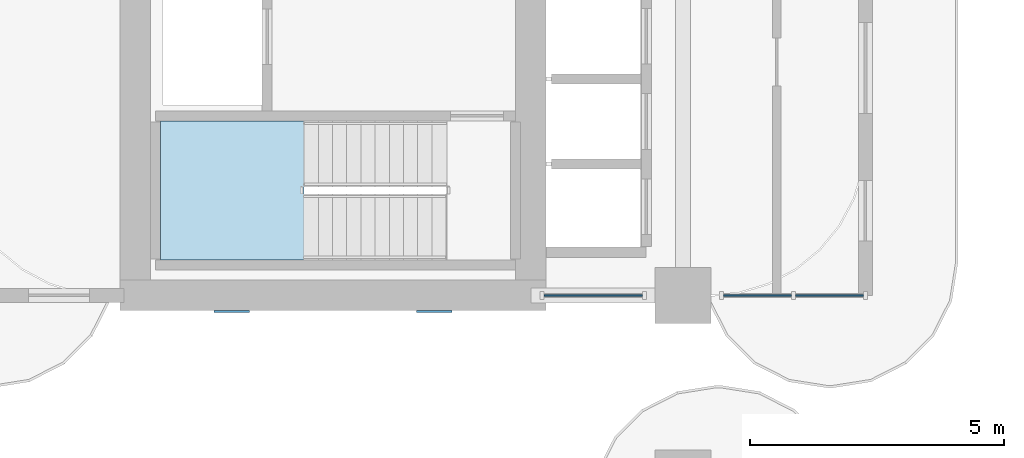
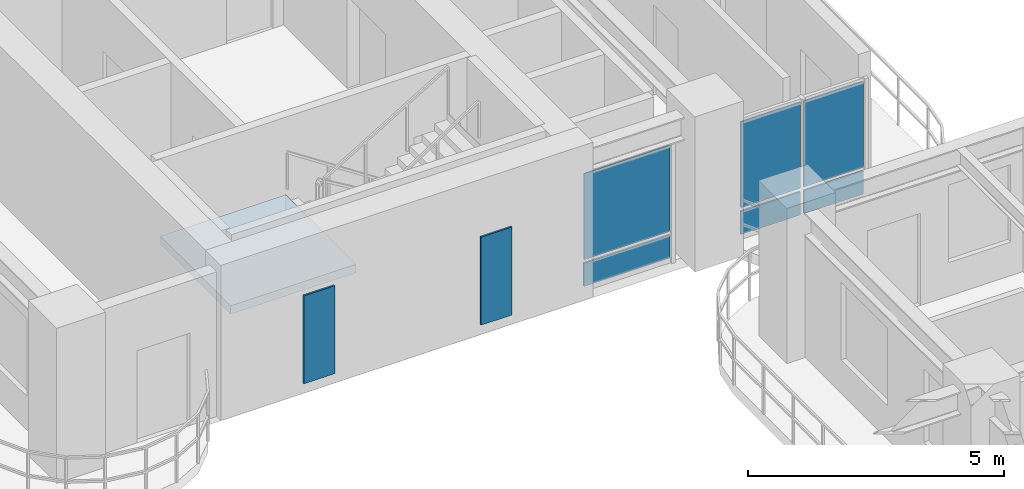
# One storey, part 4 of 19: 8 plates, 1 slab, 3 elements without a shape of their own.
"""IFC4 building model written with IfcOpenShell, lengths in metres."""

from ifc_helpers import new_model, si_unit, derived_unit, direction, frame, origin, origin_2d, place, context, subcontext, project, spatial, polyline, rectangle, outline, extrude, source, transform, mapped, material, layer, layer_set, type_object, type_shapes, element, aggregate, save


model = new_model("IFC4")

# Units and contexts
model_context = context("Model", 3, precision=1e-05, world=origin(), true_north=direction((0.0, 1.0)))
body_context = subcontext(model_context, "Body", "Model", "MODEL_VIEW")
ifc_project = project(units=[si_unit("LENGTHUNIT", "METRE"), si_unit("AREAUNIT", "SQUARE_METRE"), si_unit("VOLUMEUNIT", "CUBIC_METRE"), si_unit("PLANEANGLEUNIT", "RADIAN"), si_unit("MASSUNIT", "GRAM", prefix="KILO"), si_unit("THERMODYNAMICTEMPERATUREUNIT", "KELVIN"), si_unit("POWERUNIT", "WATT"), derived_unit("THERMALTRANSMITTANCEUNIT", [(si_unit("POWERUNIT", "WATT"), 1), (si_unit("AREAUNIT", "SQUARE_METRE"), -1), (si_unit("THERMODYNAMICTEMPERATUREUNIT", "KELVIN"), -1)])], contexts=[model_context])

# Site, building, storey
site_placement = place(None, origin())
site = spatial("IfcSite", under=ifc_project, at=site_placement, CompositionType="ELEMENT")
building_placement = place(site_placement, origin())
building = spatial("IfcBuilding", under=site, at=building_placement, Name="Zahravan Archway Hotel and Residences", CompositionType="ELEMENT")
storey_placement = place(building_placement, frame((0.0, 0.0, 43.5)))
storey = spatial("IfcBuildingStorey", under=building, at=storey_placement, Name="L09", CompositionType="ELEMENT", Elevation=43.5)

# Stair, slab
ifc_material_1 = material(Name="Concrete C50/60", Category="concrete")
stair_type = type_object("IfcStairType", Name="STR-CORE-1300", PredefinedType="HALF_TURN_STAIR", material=ifc_material_1)
stair_placement = place(storey_placement, origin())
stair = element("IfcStair", 1, at=stair_placement, inside=storey, type_object=stair_type, Name="L09 Core B Exit Stair 1", PredefinedType="HALF_TURN_STAIR")
ifc_layer_1 = layer(ifc_material_1, 0.199951171875, Name="Concrete C50/60", Category="concrete")
ifc_layer_set_1 = layer_set([ifc_layer_1], Name="Concrete C50/60")
slab_type = type_object("IfcSlabType", Name="SLB-LND-200", PredefinedType="LANDING", material=ifc_layer_set_1)
slab_placement = place(storey_placement, frame((0.0, 0.0, 1.64990234375)))
slab = element("IfcSlab", 2, at=slab_placement, type_object=slab_type, Name="ST-B1 landing 1", PredefinedType="LANDING", context=body_context, shape_type="SweptSolid", body=[
    extrude(outline(polyline([(6.929931640625, 28.639892578125), (4.10009765625, 28.639892578125), (4.10009765625, 25.89990234375), (6.929931640625, 25.89990234375), (6.929931640625, 28.639892578125)])), origin(), (0.0, 0.0, 1.0), 0.2001953125),
])
aggregate(stair, [slab])

# Plates
ifc_material_2 = material(Name="Perforated Cast Bronze Jali Lattice")
ifc_layer_2 = layer(ifc_material_2, 0.044921875, Name="Perforated Cast Bronze Jali Lattice")
ifc_layer_set_2 = layer_set([ifc_layer_2], Name="Perforated Cast Bronze Jali Lattice")
plate_type_1 = type_object("IfcPlateType", Name="PLT-JALI-BAY", PredefinedType="USERDEFINED", material=ifc_layer_set_2)
shared_shape_1 = source(origin(), body_context, "Body", "SweptSolid", [
    extrude(rectangle(XDim=0.699951171875, YDim=0.044921875, at=origin_2d()), origin(), (0.0, 0.0, 1.0), 2.10009765625),
])
type_shapes(plate_type_1, [shared_shape_1])
for number, where, z_axis, x_axis, name in (
    (3, (5.5, 24.882080078125, 0.25), (0.0, 0.0, 1.0), (1.0, 0.0, 0.0), "L09 Core B South Mughal Jali Screen 1"),
    (4, (9.5, 24.882080078125, 0.25), (0.0, 0.0, 1.0), (1.0, 0.0, 0.0), "L09 Core B South Mughal Jali Screen 2"),
):
    element("IfcPlate", number, at=place(storey_placement, frame(where, z_axis=z_axis, x_axis=x_axis)), inside=storey, type_object=plate_type_1, Name=name, ObjectType="SCREEN", PredefinedType="USERDEFINED", context=body_context, shape_type="MappedRepresentation", body=[
        mapped(shared_shape_1, transform((0.0, 0.0, 0.0), scale=1.0)),
    ])

# Curtain wall, plates
ifc_material_3 = material(Name="Bronze-Anodized Unitised Aluminium & Low-E Glass", Category="aluminium")
ifc_layer_3 = layer(ifc_material_3, 0.179931640625, Name="Bronze-Anodized Unitised Aluminium & Low-E Glass", Category="aluminium")
ifc_layer_set_3 = layer_set([ifc_layer_3], Name="Bronze-Anodized Unitised Aluminium & Low-E Glass")
curtain_wall_type = type_object("IfcCurtainWallType", Name="CW-ATR-GLAZ", PredefinedType="NOTDEFINED", material=ifc_layer_set_3)
curtain_wall_1_placement = place(storey_placement, origin())
curtain_wall_1 = element("IfcCurtainWall", 5, at=curtain_wall_1_placement, inside=storey, type_object=curtain_wall_type, Name="L09 Curtain Wall CW-L09-WB-SE-1", PredefinedType="NOTDEFINED")
ifc_material_4 = material(Name="Insulated Terracotta Spandrel Panel", Category="masonry")
ifc_layer_4 = layer(ifc_material_4, 0.0400390625, Name="Insulated Terracotta Spandrel Panel", Category="masonry")
ifc_layer_set_4 = layer_set([ifc_layer_4], Name="Insulated Terracotta Spandrel Panel")
plate_type_2 = type_object("IfcPlateType", Name="CWP-SPN-40", PredefinedType="SHEET", material=ifc_layer_set_4)
shared_shape_2 = source(origin(), body_context, "Body", "SweptSolid", [
    extrude(rectangle(XDim=1.93994140625, YDim=0.0400390625, at=origin_2d()), origin(), (0.0, 0.0, 1.0), 0.552490234375),
])
plate_1_placement = place(storey_placement, frame((12.6298828125, 25.199951171875, 0.10009765625), z_axis=(0.0, 0.0, 1.0), x_axis=(1.0, 0.0, 0.0)))
plate_1 = element("IfcPlate", 6, at=plate_1_placement, type_object=plate_type_2, Name="CW-L09-WB-SE-1 Spandrel Panel 0", PredefinedType="SHEET", context=body_context, shape_type="MappedRepresentation", body=[
    mapped(shared_shape_2, transform((0.0, 0.0, 0.0), scale=1.0)),
])
ifc_material_5 = material(Name="Double-Silver Low-E Insulated Vision Glass", Category="glass")
ifc_layer_5 = layer(ifc_material_5, 0.028076171875, Name="Double-Silver Low-E Insulated Vision Glass", Category="glass")
ifc_layer_set_5 = layer_set([ifc_layer_5], Name="Double-Silver Low-E Insulated Vision Glass")
plate_type_3 = type_object("IfcPlateType", Name="CWP-GLZ-28", PredefinedType="CURTAIN_PANEL", material=ifc_layer_set_5)
shared_shape_3 = source(origin(), body_context, "Body", "SweptSolid", [
    extrude(rectangle(XDim=1.93994140625, YDim=0.028076171875, at=origin_2d()), origin(), (0.0, 0.0, 1.0), 2.052490234375),
])
plate_2_placement = place(storey_placement, frame((12.6298828125, 25.199951171875, 0.732421875), z_axis=(0.0, 0.0, 1.0), x_axis=(1.0, 0.0, 0.0)))
plate_2 = element("IfcPlate", 7, at=plate_2_placement, type_object=plate_type_3, Name="CW-L09-WB-SE-1 Low-E Vision Panel 0", PredefinedType="CURTAIN_PANEL", context=body_context, shape_type="MappedRepresentation", body=[
    mapped(shared_shape_3, transform((0.0, 0.0, 0.0), scale=1.0)),
])
aggregate(curtain_wall_1, [plate_1, plate_2])

curtain_wall_2_placement = place(storey_placement, origin())
curtain_wall_2 = element("IfcCurtainWall", 8, at=curtain_wall_2_placement, inside=storey, type_object=curtain_wall_type, Name="L09 Curtain Wall CW-L09-WB-SE-2", PredefinedType="NOTDEFINED")
shared_shape_4 = source(origin(), body_context, "Body", "SweptSolid", [
    extrude(rectangle(XDim=1.340087890625, YDim=0.0400390625, at=origin_2d()), origin(), (0.0, 0.0, 1.0), 0.552490234375),
])
plate_3_placement = place(storey_placement, frame((15.8701171875, 25.199951171875, 0.10009765625), z_axis=(0.0, 0.0, 1.0), x_axis=(1.0, 0.0, 0.0)))
plate_3 = element("IfcPlate", 9, at=plate_3_placement, type_object=plate_type_2, Name="CW-L09-WB-SE-2 Spandrel Panel 0", PredefinedType="SHEET", context=body_context, shape_type="MappedRepresentation", body=[
    mapped(shared_shape_4, transform((0.0, 0.0, 0.0), scale=1.0)),
])
plate_4_placement = place(storey_placement, frame((17.2900390625, 25.199951171875, 0.10009765625), z_axis=(0.0, 0.0, 1.0), x_axis=(1.0, 0.0, 0.0)))
plate_4 = element("IfcPlate", 10, at=plate_4_placement, type_object=plate_type_2, Name="CW-L09-WB-SE-2 Spandrel Panel 1", PredefinedType="SHEET", context=body_context, shape_type="MappedRepresentation", body=[
    mapped(shared_shape_4, transform((0.0, 0.0, 0.0), scale=1.0)),
])
shared_shape_5 = source(origin(), body_context, "Body", "SweptSolid", [
    extrude(rectangle(XDim=1.340087890625, YDim=0.028076171875, at=origin_2d()), origin(), (0.0, 0.0, 1.0), 2.052490234375),
])
plate_5_placement = place(storey_placement, frame((15.8701171875, 25.199951171875, 0.732421875), z_axis=(0.0, 0.0, 1.0), x_axis=(1.0, 0.0, 0.0)))
plate_5 = element("IfcPlate", 11, at=plate_5_placement, type_object=plate_type_3, Name="CW-L09-WB-SE-2 Low-E Vision Panel 0", PredefinedType="CURTAIN_PANEL", context=body_context, shape_type="MappedRepresentation", body=[
    mapped(shared_shape_5, transform((0.0, 0.0, 0.0), scale=1.0)),
])
plate_6_placement = place(storey_placement, frame((17.2900390625, 25.199951171875, 0.732421875), z_axis=(0.0, 0.0, 1.0), x_axis=(1.0, 0.0, 0.0)))
plate_6 = element("IfcPlate", 12, at=plate_6_placement, type_object=plate_type_3, Name="CW-L09-WB-SE-2 Low-E Vision Panel 1", PredefinedType="CURTAIN_PANEL", context=body_context, shape_type="MappedRepresentation", body=[
    mapped(shared_shape_5, transform((0.0, 0.0, 0.0), scale=1.0)),
])
aggregate(curtain_wall_2, [plate_3, plate_5, plate_4, plate_6])

save(model, "model.ifc")
